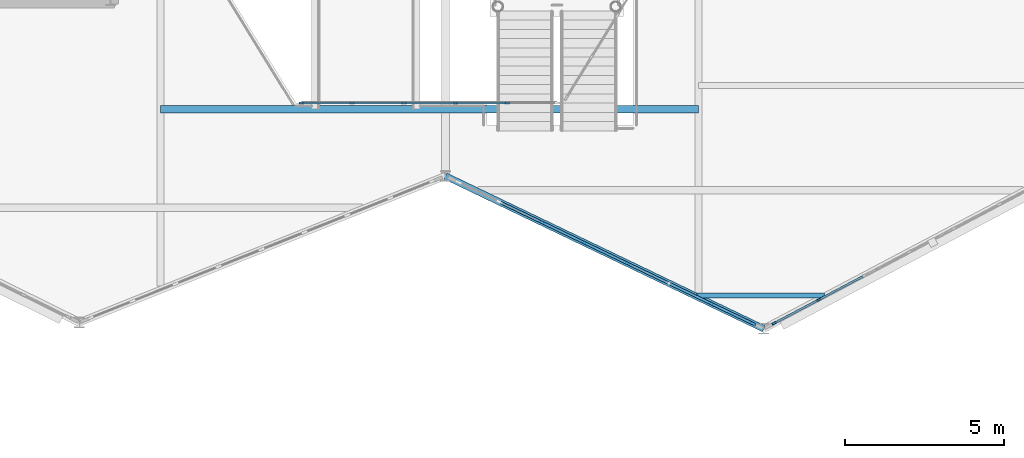
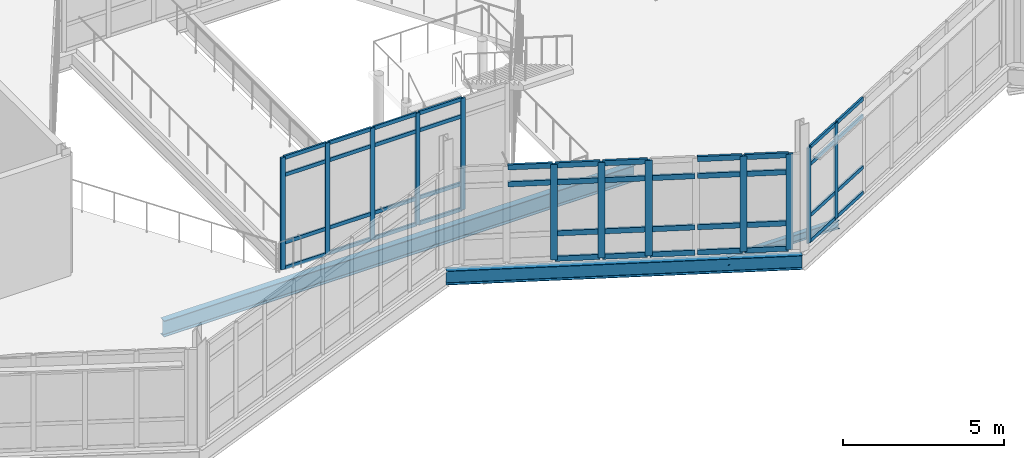
# One storey, part 18 of 76: 57 members, 3 beams, 3 elements without a shape of their own.
"""IFC4 building model written with IfcOpenShell, lengths in metres."""

from ifc_helpers import new_model, si_unit, direction, frame, origin, origin_2d, place, context, subcontext, project, spatial, rectangle, i_section, extrude, material, material_profile, profile_set, type_object, element, aggregate, save


model = new_model("IFC4")

# Units and contexts
model_context = context("Model", 3, precision=1e-05, world=origin(), true_north=direction((0.0, 1.0)))
body_context = subcontext(model_context, "Body", "Model", "MODEL_VIEW")
ifc_project = project(units=[si_unit("LENGTHUNIT", "METRE"), si_unit("AREAUNIT", "SQUARE_METRE"), si_unit("VOLUMEUNIT", "CUBIC_METRE"), si_unit("PLANEANGLEUNIT", "RADIAN"), si_unit("MASSUNIT", "GRAM", prefix="KILO")], contexts=[model_context])

# Site, building, storey
site_placement = place(None, origin())
site = spatial("IfcSite", under=ifc_project, at=site_placement, CompositionType="ELEMENT")
building_placement = place(site_placement, origin())
building = spatial("IfcBuilding", under=site, at=building_placement, Name="Tameran Prism Museum", CompositionType="ELEMENT")
storey_placement = place(building_placement, frame((0.0, 0.0, 15.0)))
storey = spatial("IfcBuildingStorey", under=building, at=storey_placement, Name="L03", CompositionType="ELEMENT", Elevation=15.0)

# Beams
ifc_material_1 = material(Name="Steel Grade 300PLUS (300 MPa)", Category="steel")
ifc_material_profile_1 = material_profile(ifc_material_1, i_section(OverallWidth=0.1650390625, OverallDepth=0.303955078125, WebThickness=0.006103515625, FlangeThickness=0.01025390625, FilletRadius=0.011474609375, at=origin_2d()))
ifc_profile_set_1 = profile_set([ifc_material_profile_1])
beam_type_1 = type_object("IfcBeamType", Name="BM-J310B", PredefinedType="JOIST", material=ifc_profile_set_1)
beam_1_placement = place(storey_placement, frame((85.405029296875, 23.64990234375, -0.35205078125), z_axis=(1.0, 0.0, 0.0), x_axis=(0.0, 1.0, 0.0)))
element("IfcBeam", 1, at=beam_1_placement, inside=storey, type_object=beam_type_1, Name="Floor Beam BM-1086", PredefinedType="JOIST", context=body_context, shape_type="SweptSolid", body=[
    extrude(i_section(OverallWidth=0.1650390625, OverallDepth=0.303955078125, WebThickness=0.006103515625, FlangeThickness=0.01025390625, FilletRadius=0.011474609375, at=origin_2d()), origin(), (0.0, 0.0, 1.0), 3.9970703125),
])
ifc_material_2 = material(Name="Steel Grade 300PLUS (300 MPa)", Category="steel")
ifc_material_profile_2 = material_profile(ifc_material_2, i_section(OverallWidth=0.208984375, OverallDepth=0.532958984375, WebThickness=0.01025390625, FlangeThickness=0.015625, FilletRadius=0.013916015625, at=origin_2d()))
ifc_profile_set_2 = profile_set([ifc_material_profile_2])
beam_type_2 = type_object("IfcBeamType", Name="BM-SP530A", PredefinedType="SPANDREL", material=ifc_profile_set_2)
beam_2_placement = place(storey_placement, frame((77.5, 27.39990234375, -0.466552734375), z_axis=(0.901529926538, -0.432716756732, 0.0), x_axis=(0.432716756732, 0.901529926538, 0.0)))
element("IfcBeam", 2, at=beam_2_placement, inside=storey, type_object=beam_type_2, Name="Perimeter Spandrel SP-0961", PredefinedType="SPANDREL", context=body_context, shape_type="SweptSolid", body=[
    extrude(i_section(OverallWidth=0.208984375, OverallDepth=0.532958984375, WebThickness=0.01025390625, FlangeThickness=0.015625, FilletRadius=0.013916015625, at=origin_2d()), origin(), (0.0, 0.0, 1.0), 11.09228515625),
])
ifc_material_3 = material(Name="Steel Grade 300PLUS (300 MPa)", Category="steel")
ifc_material_profile_3 = material_profile(ifc_material_3, i_section(OverallWidth=0.22900390625, OverallDepth=0.612060546875, WebThickness=0.011962890625, FlangeThickness=0.01953125, FilletRadius=0.013916015625, at=origin_2d()))
ifc_profile_set_3 = profile_set([ifc_material_profile_3])
beam_type_3 = type_object("IfcBeamType", Name="BM-UB610A", PredefinedType="BEAM", material=ifc_profile_set_3)
beam_3_placement = place(storey_placement, frame((68.550048828125, 29.5, -0.5458984375), z_axis=(1.0, 0.0, 0.0), x_axis=(0.0, 1.0, 0.0)))
element("IfcBeam", 3, at=beam_3_placement, inside=storey, type_object=beam_type_3, Name="Atrium Transverse Trimmer ATE-1046", PredefinedType="BEAM", context=body_context, shape_type="SweptSolid", body=[
    extrude(i_section(OverallWidth=0.22900390625, OverallDepth=0.612060546875, WebThickness=0.011962890625, FlangeThickness=0.01953125, FilletRadius=0.013916015625, at=origin_2d()), origin(), (0.0, 0.0, 1.0), 16.89990234375),
])

# Curtain wall, members
ifc_material_4 = material(Name="Anodised Aluminium 6063-T6 and Cyclone Solar Glass", Category="aluminium")
curtain_wall_type_1 = type_object("IfcCurtainWallType", Name="CW-ATR-810x424", PredefinedType="USERDEFINED", material=ifc_material_4)
curtain_wall_1_placement = place(storey_placement, origin())
curtain_wall_1 = element("IfcCurtainWall", 4, at=curtain_wall_1_placement, inside=storey, type_object=curtain_wall_type_1, Name="Unitised Curtain Wall CW-011", ObjectType="UNITISED CURTAIN WALL", PredefinedType="USERDEFINED")
ifc_material_5 = material(Name="Anodised Aluminium Alloy 6063-T6", Category="aluminium")
ifc_material_profile_4 = material_profile(ifc_material_5, rectangle(XDim=0.06494140625, YDim=0.159912109375, at=origin_2d()))
ifc_profile_set_4 = profile_set([ifc_material_profile_4])
member_type_1 = type_object("IfcMemberType", Name="CW-MUL-A", PredefinedType="MULLION", material=ifc_profile_set_4)
member_1_placement = place(storey_placement, frame((72.982421875, 29.699951171875, 0.0), z_axis=(0.0, 0.0, 1.0), x_axis=(0.0, 1.0, 0.0)))
member_1 = element("IfcMember", 5, at=member_1_placement, type_object=member_type_1, Name="CW-011 mullion 1", PredefinedType="MULLION", context=body_context, shape_type="SweptSolid", body=[
    extrude(rectangle(XDim=0.06494140625, YDim=0.159912109375, at=origin_2d()), origin(), (0.0, 0.0, 1.0), 4.239990234375),
])
member_2_placement = place(storey_placement, frame((74.570068359375, 29.699951171875, 0.0), z_axis=(0.0, 0.0, 1.0), x_axis=(0.0, 1.0, 0.0)))
member_2 = element("IfcMember", 6, at=member_2_placement, type_object=member_type_1, Name="CW-011 mullion 2", PredefinedType="MULLION", context=body_context, shape_type="SweptSolid", body=[
    extrude(rectangle(XDim=0.06494140625, YDim=0.159912109375, at=origin_2d()), origin(), (0.0, 0.0, 1.0), 4.239990234375),
])
member_3_placement = place(storey_placement, frame((76.18994140625, 29.699951171875, 0.0), z_axis=(0.0, 0.0, 1.0), x_axis=(0.0, 1.0, 0.0)))
member_3 = element("IfcMember", 7, at=member_3_placement, type_object=member_type_1, Name="CW-011 mullion 3", PredefinedType="MULLION", context=body_context, shape_type="SweptSolid", body=[
    extrude(rectangle(XDim=0.06494140625, YDim=0.159912109375, at=origin_2d()), origin(), (0.0, 0.0, 1.0), 4.239990234375),
])
member_4_placement = place(storey_placement, frame((77.81005859375, 29.699951171875, 0.0), z_axis=(0.0, 0.0, 1.0), x_axis=(0.0, 1.0, 0.0)))
member_4 = element("IfcMember", 8, at=member_4_placement, type_object=member_type_1, Name="CW-011 mullion 4", PredefinedType="MULLION", context=body_context, shape_type="SweptSolid", body=[
    extrude(rectangle(XDim=0.06494140625, YDim=0.159912109375, at=origin_2d()), origin(), (0.0, 0.0, 1.0), 4.239990234375),
])
member_5_placement = place(storey_placement, frame((79.429931640625, 29.699951171875, 0.0), z_axis=(0.0, 0.0, 1.0), x_axis=(0.0, 1.0, 0.0)))
member_5 = element("IfcMember", 9, at=member_5_placement, type_object=member_type_1, Name="CW-011 mullion 5", PredefinedType="MULLION", context=body_context, shape_type="SweptSolid", body=[
    extrude(rectangle(XDim=0.06494140625, YDim=0.159912109375, at=origin_2d()), origin(), (0.0, 0.0, 1.0), 4.239990234375),
])

ifc_material_6 = material(Name="Anodised Aluminium 6063-T6 and Cyclone Solar Glass", Category="aluminium")
curtain_wall_type_2 = type_object("IfcCurtainWallType", Name="CW-FAC-1123x362", PredefinedType="USERDEFINED", material=ifc_material_6)
curtain_wall_2_placement = place(storey_placement, origin())
curtain_wall_2 = element("IfcCurtainWall", 10, at=curtain_wall_2_placement, inside=storey, type_object=curtain_wall_type_2, Name="Unitised Curtain Wall CW-139", ObjectType="UNITISED CURTAIN WALL", PredefinedType="USERDEFINED")
member_6_placement = place(storey_placement, frame((89.2275390625, 23.512451171875, 0.0), z_axis=(0.0, 0.0, 1.0), x_axis=(0.467155185438, -0.884175340483, 0.0)))
member_6 = element("IfcMember", 11, at=member_6_placement, type_object=member_type_1, Name="CW-139 mullion 7", PredefinedType="MULLION", context=body_context, shape_type="SweptSolid", body=[
    extrude(rectangle(XDim=0.06494140625, YDim=0.159912109375, at=origin_2d()), origin(), (0.0, 0.0, 1.0), 3.6201171875),
])
member_7_placement = place(storey_placement, frame((87.837646484375, 22.778076171875, 0.0), z_axis=(0.0, 0.0, 1.0), x_axis=(0.467155185438, -0.884175340483, 0.0)))
member_7 = element("IfcMember", 12, at=member_7_placement, type_object=member_type_1, Name="CW-139 mullion 8", PredefinedType="MULLION", context=body_context, shape_type="SweptSolid", body=[
    extrude(rectangle(XDim=0.06494140625, YDim=0.159912109375, at=origin_2d()), origin(), (0.0, 0.0, 1.0), 3.6201171875),
])

ifc_material_7 = material(Name="Anodised Aluminium 6063-T6 and Cyclone Solar Glass", Category="aluminium")
curtain_wall_type_3 = type_object("IfcCurtainWallType", Name="CW-FAC-1033x362", PredefinedType="USERDEFINED", material=ifc_material_7)
curtain_wall_3_placement = place(storey_placement, origin())
curtain_wall_3 = element("IfcCurtainWall", 13, at=curtain_wall_3_placement, inside=storey, type_object=curtain_wall_type_3, Name="Unitised Curtain Wall CW-138", ObjectType="UNITISED CURTAIN WALL", PredefinedType="USERDEFINED")
ifc_material_8 = material(Name="Anodised Aluminium Alloy 6063-T6", Category="aluminium")
ifc_material_profile_5 = material_profile(ifc_material_8, rectangle(XDim=0.080078125, YDim=0.219970703125, at=origin_2d()))
ifc_profile_set_5 = profile_set([ifc_material_profile_5])
member_type_2 = type_object("IfcMemberType", Name="CW-MUL-D", PredefinedType="MULLION", material=ifc_profile_set_5)
member_8_placement = place(storey_placement, frame((87.14794921875, 22.768310546875, 0.0), z_axis=(0.0, 0.0, 1.0), x_axis=(-0.432831753637, -0.901474721245, 0.0)))
member_8 = element("IfcMember", 14, at=member_8_placement, type_object=member_type_2, Name="CW-138 mullion 1", PredefinedType="MULLION", context=body_context, shape_type="SweptSolid", body=[
    extrude(rectangle(XDim=0.080078125, YDim=0.219970703125, at=origin_2d()), origin(), (0.0, 0.0, 1.0), 3.6201171875),
])
member_9_placement = place(storey_placement, frame((85.853515625, 23.389892578125, 0.0), z_axis=(0.0, 0.0, 1.0), x_axis=(-0.432831753637, -0.901474721245, 0.0)))
member_9 = element("IfcMember", 15, at=member_9_placement, type_object=member_type_2, Name="CW-138 mullion 2", PredefinedType="MULLION", context=body_context, shape_type="SweptSolid", body=[
    extrude(rectangle(XDim=0.080078125, YDim=0.219970703125, at=origin_2d()), origin(), (0.0, 0.0, 1.0), 3.6201171875),
])
member_10_placement = place(storey_placement, frame((83.1923828125, 24.66748046875, 0.0), z_axis=(0.0, 0.0, 1.0), x_axis=(-0.432831753637, -0.901474721245, 0.0)))
member_10 = element("IfcMember", 16, at=member_10_placement, type_object=member_type_2, Name="CW-138 mullion 4", PredefinedType="MULLION", context=body_context, shape_type="SweptSolid", body=[
    extrude(rectangle(XDim=0.080078125, YDim=0.219970703125, at=origin_2d()), origin(), (0.0, 0.0, 1.0), 3.6201171875),
])
member_11_placement = place(storey_placement, frame((81.86181640625, 25.306396484375, 0.0), z_axis=(0.0, 0.0, 1.0), x_axis=(-0.432831753637, -0.901474721245, 0.0)))
member_11 = element("IfcMember", 17, at=member_11_placement, type_object=member_type_2, Name="CW-138 mullion 5", PredefinedType="MULLION", context=body_context, shape_type="SweptSolid", body=[
    extrude(rectangle(XDim=0.080078125, YDim=0.219970703125, at=origin_2d()), origin(), (0.0, 0.0, 1.0), 3.6201171875),
])
member_12_placement = place(storey_placement, frame((80.53125, 25.9453125, 0.0), z_axis=(0.0, 0.0, 1.0), x_axis=(-0.432831753637, -0.901474721245, 0.0)))
member_12 = element("IfcMember", 18, at=member_12_placement, type_object=member_type_2, Name="CW-138 mullion 6", PredefinedType="MULLION", context=body_context, shape_type="SweptSolid", body=[
    extrude(rectangle(XDim=0.080078125, YDim=0.219970703125, at=origin_2d()), origin(), (0.0, 0.0, 1.0), 3.6201171875),
])

# Member
ifc_material_9 = material(Name="Anodised Aluminium Alloy 6063-T6", Category="aluminium")
ifc_material_profile_6 = material_profile(ifc_material_9, rectangle(XDim=0.06494140625, YDim=0.139892578125, at=origin_2d()))
ifc_profile_set_6 = profile_set([ifc_material_profile_6])
member_type_3 = type_object("IfcMemberType", Name="CW-TRN-A", PredefinedType="USERDEFINED", material=ifc_profile_set_6)
member_13_placement = place(storey_placement, frame((73.014892578125, 29.699951171875, 0.032470703125), z_axis=(1.0, 0.0, 0.0), x_axis=(0.0, 1.0, 0.0)))
member_13 = element("IfcMember", 19, at=member_13_placement, type_object=member_type_3, Name="CW-011 transom 1.1", ObjectType="TRANSOM", PredefinedType="USERDEFINED", context=body_context, shape_type="SweptSolid", body=[
    extrude(rectangle(XDim=0.06494140625, YDim=0.139892578125, at=origin_2d()), origin(), (0.0, 0.0, 1.0), 1.522705078125),
])

member_14_placement = place(storey_placement, frame((73.014892578125, 29.699951171875, 1.0), z_axis=(1.0, 0.0, 0.0), x_axis=(0.0, 1.0, 0.0)))
member_14 = element("IfcMember", 20, at=member_14_placement, type_object=member_type_3, Name="CW-011 transom 1.2", ObjectType="TRANSOM", PredefinedType="USERDEFINED", context=body_context, shape_type="SweptSolid", body=[
    extrude(rectangle(XDim=0.06494140625, YDim=0.139892578125, at=origin_2d()), origin(), (0.0, 0.0, 1.0), 1.522705078125),
])

member_15_placement = place(storey_placement, frame((73.014892578125, 29.699951171875, 3.56005859375), z_axis=(1.0, 0.0, 0.0), x_axis=(0.0, 1.0, 0.0)))
member_15 = element("IfcMember", 21, at=member_15_placement, type_object=member_type_3, Name="CW-011 transom 1.3", ObjectType="TRANSOM", PredefinedType="USERDEFINED", context=body_context, shape_type="SweptSolid", body=[
    extrude(rectangle(XDim=0.06494140625, YDim=0.139892578125, at=origin_2d()), origin(), (0.0, 0.0, 1.0), 1.522705078125),
])

member_16_placement = place(storey_placement, frame((73.014892578125, 29.699951171875, 4.20751953125), z_axis=(1.0, 0.0, 0.0), x_axis=(0.0, 1.0, 0.0)))
member_16 = element("IfcMember", 22, at=member_16_placement, type_object=member_type_3, Name="CW-011 transom 1.4", ObjectType="TRANSOM", PredefinedType="USERDEFINED", context=body_context, shape_type="SweptSolid", body=[
    extrude(rectangle(XDim=0.06494140625, YDim=0.139892578125, at=origin_2d()), origin(), (0.0, 0.0, 1.0), 1.522705078125),
])

member_17_placement = place(storey_placement, frame((74.6025390625, 29.699951171875, 0.032470703125), z_axis=(1.0, 0.0, 0.0), x_axis=(0.0, 1.0, 0.0)))
member_17 = element("IfcMember", 23, at=member_17_placement, type_object=member_type_3, Name="CW-011 transom 2.1", ObjectType="TRANSOM", PredefinedType="USERDEFINED", context=body_context, shape_type="SweptSolid", body=[
    extrude(rectangle(XDim=0.06494140625, YDim=0.139892578125, at=origin_2d()), origin(), (0.0, 0.0, 1.0), 1.554931640625),
])

member_18_placement = place(storey_placement, frame((74.6025390625, 29.699951171875, 1.0), z_axis=(1.0, 0.0, 0.0), x_axis=(0.0, 1.0, 0.0)))
member_18 = element("IfcMember", 24, at=member_18_placement, type_object=member_type_3, Name="CW-011 transom 2.2", ObjectType="TRANSOM", PredefinedType="USERDEFINED", context=body_context, shape_type="SweptSolid", body=[
    extrude(rectangle(XDim=0.06494140625, YDim=0.139892578125, at=origin_2d()), origin(), (0.0, 0.0, 1.0), 1.554931640625),
])

member_19_placement = place(storey_placement, frame((74.6025390625, 29.699951171875, 3.56005859375), z_axis=(1.0, 0.0, 0.0), x_axis=(0.0, 1.0, 0.0)))
member_19 = element("IfcMember", 25, at=member_19_placement, type_object=member_type_3, Name="CW-011 transom 2.3", ObjectType="TRANSOM", PredefinedType="USERDEFINED", context=body_context, shape_type="SweptSolid", body=[
    extrude(rectangle(XDim=0.06494140625, YDim=0.139892578125, at=origin_2d()), origin(), (0.0, 0.0, 1.0), 1.554931640625),
])

member_20_placement = place(storey_placement, frame((74.6025390625, 29.699951171875, 4.20751953125), z_axis=(1.0, 0.0, 0.0), x_axis=(0.0, 1.0, 0.0)))
member_20 = element("IfcMember", 26, at=member_20_placement, type_object=member_type_3, Name="CW-011 transom 2.4", ObjectType="TRANSOM", PredefinedType="USERDEFINED", context=body_context, shape_type="SweptSolid", body=[
    extrude(rectangle(XDim=0.06494140625, YDim=0.139892578125, at=origin_2d()), origin(), (0.0, 0.0, 1.0), 1.554931640625),
])

member_21_placement = place(storey_placement, frame((76.222412109375, 29.699951171875, 0.032470703125), z_axis=(1.0, 0.0, 0.0), x_axis=(0.0, 1.0, 0.0)))
member_21 = element("IfcMember", 27, at=member_21_placement, type_object=member_type_3, Name="CW-011 transom 3.1", ObjectType="TRANSOM", PredefinedType="USERDEFINED", context=body_context, shape_type="SweptSolid", body=[
    extrude(rectangle(XDim=0.06494140625, YDim=0.139892578125, at=origin_2d()), origin(), (0.0, 0.0, 1.0), 1.55517578125),
])

member_22_placement = place(storey_placement, frame((76.222412109375, 29.699951171875, 1.0), z_axis=(1.0, 0.0, 0.0), x_axis=(0.0, 1.0, 0.0)))
member_22 = element("IfcMember", 28, at=member_22_placement, type_object=member_type_3, Name="CW-011 transom 3.2", ObjectType="TRANSOM", PredefinedType="USERDEFINED", context=body_context, shape_type="SweptSolid", body=[
    extrude(rectangle(XDim=0.06494140625, YDim=0.139892578125, at=origin_2d()), origin(), (0.0, 0.0, 1.0), 1.55517578125),
])

member_23_placement = place(storey_placement, frame((76.222412109375, 29.699951171875, 3.56005859375), z_axis=(1.0, 0.0, 0.0), x_axis=(0.0, 1.0, 0.0)))
member_23 = element("IfcMember", 29, at=member_23_placement, type_object=member_type_3, Name="CW-011 transom 3.3", ObjectType="TRANSOM", PredefinedType="USERDEFINED", context=body_context, shape_type="SweptSolid", body=[
    extrude(rectangle(XDim=0.06494140625, YDim=0.139892578125, at=origin_2d()), origin(), (0.0, 0.0, 1.0), 1.55517578125),
])

member_24_placement = place(storey_placement, frame((76.222412109375, 29.699951171875, 4.20751953125), z_axis=(1.0, 0.0, 0.0), x_axis=(0.0, 1.0, 0.0)))
member_24 = element("IfcMember", 30, at=member_24_placement, type_object=member_type_3, Name="CW-011 transom 3.4", ObjectType="TRANSOM", PredefinedType="USERDEFINED", context=body_context, shape_type="SweptSolid", body=[
    extrude(rectangle(XDim=0.06494140625, YDim=0.139892578125, at=origin_2d()), origin(), (0.0, 0.0, 1.0), 1.55517578125),
])

member_25_placement = place(storey_placement, frame((77.842529296875, 29.699951171875, 0.032470703125), z_axis=(1.0, 0.0, 0.0), x_axis=(0.0, 1.0, 0.0)))
member_25 = element("IfcMember", 31, at=member_25_placement, type_object=member_type_3, Name="CW-011 transom 4.1", ObjectType="TRANSOM", PredefinedType="USERDEFINED", context=body_context, shape_type="SweptSolid", body=[
    extrude(rectangle(XDim=0.06494140625, YDim=0.139892578125, at=origin_2d()), origin(), (0.0, 0.0, 1.0), 1.554931640625),
])

member_26_placement = place(storey_placement, frame((77.842529296875, 29.699951171875, 1.0), z_axis=(1.0, 0.0, 0.0), x_axis=(0.0, 1.0, 0.0)))
member_26 = element("IfcMember", 32, at=member_26_placement, type_object=member_type_3, Name="CW-011 transom 4.2", ObjectType="TRANSOM", PredefinedType="USERDEFINED", context=body_context, shape_type="SweptSolid", body=[
    extrude(rectangle(XDim=0.06494140625, YDim=0.139892578125, at=origin_2d()), origin(), (0.0, 0.0, 1.0), 1.554931640625),
])

member_27_placement = place(storey_placement, frame((77.842529296875, 29.699951171875, 3.56005859375), z_axis=(1.0, 0.0, 0.0), x_axis=(0.0, 1.0, 0.0)))
member_27 = element("IfcMember", 33, at=member_27_placement, type_object=member_type_3, Name="CW-011 transom 4.3", ObjectType="TRANSOM", PredefinedType="USERDEFINED", context=body_context, shape_type="SweptSolid", body=[
    extrude(rectangle(XDim=0.06494140625, YDim=0.139892578125, at=origin_2d()), origin(), (0.0, 0.0, 1.0), 1.554931640625),
])

member_28_placement = place(storey_placement, frame((77.842529296875, 29.699951171875, 4.20751953125), z_axis=(1.0, 0.0, 0.0), x_axis=(0.0, 1.0, 0.0)))
member_28 = element("IfcMember", 34, at=member_28_placement, type_object=member_type_3, Name="CW-011 transom 4.4", ObjectType="TRANSOM", PredefinedType="USERDEFINED", context=body_context, shape_type="SweptSolid", body=[
    extrude(rectangle(XDim=0.06494140625, YDim=0.139892578125, at=origin_2d()), origin(), (0.0, 0.0, 1.0), 1.554931640625),
])

aggregate(curtain_wall_1, [member_1, member_2, member_3, member_4, member_5, member_13, member_14, member_15, member_16, member_17, member_18, member_19, member_20, member_21, member_22, member_23, member_24, member_25, member_26, member_27, member_28])

member_29_placement = place(storey_placement, frame((90.6171875, 24.24658203125, 0.032470703125), z_axis=(-0.884211923114, -0.467085939654, 0.0), x_axis=(0.467085939654, -0.884211923114, 0.0)))
member_29 = element("IfcMember", 35, at=member_29_placement, type_object=member_type_3, Name="CW-139 transom 6.1", ObjectType="TRANSOM", PredefinedType="USERDEFINED", context=body_context, shape_type="SweptSolid", body=[
    extrude(rectangle(XDim=0.06494140625, YDim=0.139892578125, at=origin_2d()), origin(), (0.0, 0.0, 1.0), 1.539306640625),
])

member_30_placement = place(storey_placement, frame((90.6171875, 24.24658203125, 1.0), z_axis=(-0.884211923114, -0.467085939654, 0.0), x_axis=(0.467085939654, -0.884211923114, 0.0)))
member_30 = element("IfcMember", 36, at=member_30_placement, type_object=member_type_3, Name="CW-139 transom 6.2", ObjectType="TRANSOM", PredefinedType="USERDEFINED", context=body_context, shape_type="SweptSolid", body=[
    extrude(rectangle(XDim=0.06494140625, YDim=0.139892578125, at=origin_2d()), origin(), (0.0, 0.0, 1.0), 1.539306640625),
])

member_31_placement = place(storey_placement, frame((90.6171875, 24.24658203125, 2.93994140625), z_axis=(-0.884211923114, -0.467085939654, 0.0), x_axis=(0.467085939654, -0.884211923114, 0.0)))
member_31 = element("IfcMember", 37, at=member_31_placement, type_object=member_type_3, Name="CW-139 transom 6.3", ObjectType="TRANSOM", PredefinedType="USERDEFINED", context=body_context, shape_type="SweptSolid", body=[
    extrude(rectangle(XDim=0.06494140625, YDim=0.139892578125, at=origin_2d()), origin(), (0.0, 0.0, 1.0), 1.539306640625),
])

member_32_placement = place(storey_placement, frame((90.6171875, 24.24658203125, 3.58740234375), z_axis=(-0.884211923114, -0.467085939654, 0.0), x_axis=(0.467085939654, -0.884211923114, 0.0)))
member_32 = element("IfcMember", 38, at=member_32_placement, type_object=member_type_3, Name="CW-139 transom 6.4", ObjectType="TRANSOM", PredefinedType="USERDEFINED", context=body_context, shape_type="SweptSolid", body=[
    extrude(rectangle(XDim=0.06494140625, YDim=0.139892578125, at=origin_2d()), origin(), (0.0, 0.0, 1.0), 1.539306640625),
])

member_33_placement = place(storey_placement, frame((89.19873046875, 23.497314453125, 0.032470703125), z_axis=(-0.884189596014, -0.467128203282, 0.0), x_axis=(0.467128203282, -0.884189596014, 0.0)))
member_33 = element("IfcMember", 39, at=member_33_placement, type_object=member_type_3, Name="CW-139 transom 7.1", ObjectType="TRANSOM", PredefinedType="USERDEFINED", context=body_context, shape_type="SweptSolid", body=[
    extrude(rectangle(XDim=0.06494140625, YDim=0.139892578125, at=origin_2d()), origin(), (0.0, 0.0, 1.0), 1.5068359375),
])

member_34_placement = place(storey_placement, frame((89.19873046875, 23.497314453125, 1.0), z_axis=(-0.884189596014, -0.467128203282, 0.0), x_axis=(0.467128203282, -0.884189596014, 0.0)))
member_34 = element("IfcMember", 40, at=member_34_placement, type_object=member_type_3, Name="CW-139 transom 7.2", ObjectType="TRANSOM", PredefinedType="USERDEFINED", context=body_context, shape_type="SweptSolid", body=[
    extrude(rectangle(XDim=0.06494140625, YDim=0.139892578125, at=origin_2d()), origin(), (0.0, 0.0, 1.0), 1.5068359375),
])

member_35_placement = place(storey_placement, frame((89.19873046875, 23.497314453125, 2.93994140625), z_axis=(-0.884189596014, -0.467128203282, 0.0), x_axis=(0.467128203282, -0.884189596014, 0.0)))
member_35 = element("IfcMember", 41, at=member_35_placement, type_object=member_type_3, Name="CW-139 transom 7.3", ObjectType="TRANSOM", PredefinedType="USERDEFINED", context=body_context, shape_type="SweptSolid", body=[
    extrude(rectangle(XDim=0.06494140625, YDim=0.139892578125, at=origin_2d()), origin(), (0.0, 0.0, 1.0), 1.5068359375),
])

member_36_placement = place(storey_placement, frame((89.19873046875, 23.497314453125, 3.58740234375), z_axis=(-0.884189596014, -0.467128203282, 0.0), x_axis=(0.467128203282, -0.884189596014, 0.0)))
member_36 = element("IfcMember", 42, at=member_36_placement, type_object=member_type_3, Name="CW-139 transom 7.4", ObjectType="TRANSOM", PredefinedType="USERDEFINED", context=body_context, shape_type="SweptSolid", body=[
    extrude(rectangle(XDim=0.06494140625, YDim=0.139892578125, at=origin_2d()), origin(), (0.0, 0.0, 1.0), 1.5068359375),
])

aggregate(curtain_wall_2, [member_6, member_7, member_29, member_30, member_31, member_32, member_33, member_34, member_35, member_36])

ifc_material_10 = material(Name="Anodised Aluminium Alloy 6063-T6", Category="aluminium")
ifc_material_profile_7 = material_profile(ifc_material_10, rectangle(XDim=0.080078125, YDim=0.195068359375, at=origin_2d()))
ifc_profile_set_7 = profile_set([ifc_material_profile_7])
member_type_4 = type_object("IfcMemberType", Name="CW-TRN-D", PredefinedType="USERDEFINED", material=ifc_profile_set_7)
member_37_placement = place(storey_placement, frame((87.11181640625, 22.78564453125, 0.0400390625), z_axis=(-0.901478100246, 0.432824715996, 0.0), x_axis=(-0.432824715996, -0.901478100246, 0.0)))
member_37 = element("IfcMember", 43, at=member_37_placement, type_object=member_type_4, Name="CW-138 transom 1.1", ObjectType="TRANSOM", PredefinedType="USERDEFINED", context=body_context, shape_type="SweptSolid", body=[
    extrude(rectangle(XDim=0.080078125, YDim=0.195068359375, at=origin_2d()), origin(), (0.0, 0.0, 1.0), 1.35595703125),
])

member_38_placement = place(storey_placement, frame((87.11181640625, 22.78564453125, 1.0), z_axis=(-0.901478100246, 0.432824715996, 0.0), x_axis=(-0.432824715996, -0.901478100246, 0.0)))
member_38 = element("IfcMember", 44, at=member_38_placement, type_object=member_type_4, Name="CW-138 transom 1.2", ObjectType="TRANSOM", PredefinedType="USERDEFINED", context=body_context, shape_type="SweptSolid", body=[
    extrude(rectangle(XDim=0.080078125, YDim=0.195068359375, at=origin_2d()), origin(), (0.0, 0.0, 1.0), 1.35595703125),
])

member_39_placement = place(storey_placement, frame((87.11181640625, 22.78564453125, 2.93994140625), z_axis=(-0.901478100246, 0.432824715996, 0.0), x_axis=(-0.432824715996, -0.901478100246, 0.0)))
member_39 = element("IfcMember", 45, at=member_39_placement, type_object=member_type_4, Name="CW-138 transom 1.3", ObjectType="TRANSOM", PredefinedType="USERDEFINED", context=body_context, shape_type="SweptSolid", body=[
    extrude(rectangle(XDim=0.080078125, YDim=0.195068359375, at=origin_2d()), origin(), (0.0, 0.0, 1.0), 1.35595703125),
])

member_40_placement = place(storey_placement, frame((87.11181640625, 22.78564453125, 3.580078125), z_axis=(-0.901478100246, 0.432824715996, 0.0), x_axis=(-0.432824715996, -0.901478100246, 0.0)))
member_40 = element("IfcMember", 46, at=member_40_placement, type_object=member_type_4, Name="CW-138 transom 1.4", ObjectType="TRANSOM", PredefinedType="USERDEFINED", context=body_context, shape_type="SweptSolid", body=[
    extrude(rectangle(XDim=0.080078125, YDim=0.195068359375, at=origin_2d()), origin(), (0.0, 0.0, 1.0), 1.35595703125),
])

member_41_placement = place(storey_placement, frame((85.8173828125, 23.4072265625, 0.0400390625), z_axis=(-0.901482120337, 0.432816342936, 0.0), x_axis=(-0.432816342936, -0.901482120337, 0.0)))
member_41 = element("IfcMember", 47, at=member_41_placement, type_object=member_type_4, Name="CW-138 transom 2.1", ObjectType="TRANSOM", PredefinedType="USERDEFINED", context=body_context, shape_type="SweptSolid", body=[
    extrude(rectangle(XDim=0.080078125, YDim=0.195068359375, at=origin_2d()), origin(), (0.0, 0.0, 1.0), 1.39599609375),
])

member_42_placement = place(storey_placement, frame((85.8173828125, 23.4072265625, 1.0), z_axis=(-0.901482120337, 0.432816342936, 0.0), x_axis=(-0.432816342936, -0.901482120337, 0.0)))
member_42 = element("IfcMember", 48, at=member_42_placement, type_object=member_type_4, Name="CW-138 transom 2.2", ObjectType="TRANSOM", PredefinedType="USERDEFINED", context=body_context, shape_type="SweptSolid", body=[
    extrude(rectangle(XDim=0.080078125, YDim=0.195068359375, at=origin_2d()), origin(), (0.0, 0.0, 1.0), 1.39599609375),
])

member_43_placement = place(storey_placement, frame((85.8173828125, 23.4072265625, 2.93994140625), z_axis=(-0.901482120337, 0.432816342936, 0.0), x_axis=(-0.432816342936, -0.901482120337, 0.0)))
member_43 = element("IfcMember", 49, at=member_43_placement, type_object=member_type_4, Name="CW-138 transom 2.3", ObjectType="TRANSOM", PredefinedType="USERDEFINED", context=body_context, shape_type="SweptSolid", body=[
    extrude(rectangle(XDim=0.080078125, YDim=0.195068359375, at=origin_2d()), origin(), (0.0, 0.0, 1.0), 1.39599609375),
])

member_44_placement = place(storey_placement, frame((85.8173828125, 23.4072265625, 3.580078125), z_axis=(-0.901482120337, 0.432816342936, 0.0), x_axis=(-0.432816342936, -0.901482120337, 0.0)))
member_44 = element("IfcMember", 50, at=member_44_placement, type_object=member_type_4, Name="CW-138 transom 2.4", ObjectType="TRANSOM", PredefinedType="USERDEFINED", context=body_context, shape_type="SweptSolid", body=[
    extrude(rectangle(XDim=0.080078125, YDim=0.195068359375, at=origin_2d()), origin(), (0.0, 0.0, 1.0), 1.39599609375),
])

member_45_placement = place(storey_placement, frame((84.48681640625, 24.046142578125, 0.0400390625), z_axis=(-0.901550346473, 0.432674210897, 0.0), x_axis=(-0.432674210897, -0.901550346473, 0.0)))
member_45 = element("IfcMember", 51, at=member_45_placement, type_object=member_type_4, Name="CW-138 transom 3.1", ObjectType="TRANSOM", PredefinedType="USERDEFINED", context=body_context, shape_type="SweptSolid", body=[
    extrude(rectangle(XDim=0.080078125, YDim=0.195068359375, at=origin_2d()), origin(), (0.0, 0.0, 1.0), 1.39599609375),
])

member_46_placement = place(storey_placement, frame((84.48681640625, 24.046142578125, 1.0), z_axis=(-0.901550346473, 0.432674210897, 0.0), x_axis=(-0.432674210897, -0.901550346473, 0.0)))
member_46 = element("IfcMember", 52, at=member_46_placement, type_object=member_type_4, Name="CW-138 transom 3.2", ObjectType="TRANSOM", PredefinedType="USERDEFINED", context=body_context, shape_type="SweptSolid", body=[
    extrude(rectangle(XDim=0.080078125, YDim=0.195068359375, at=origin_2d()), origin(), (0.0, 0.0, 1.0), 1.39599609375),
])

member_47_placement = place(storey_placement, frame((84.48681640625, 24.046142578125, 2.93994140625), z_axis=(-0.901550346473, 0.432674210897, 0.0), x_axis=(-0.432674210897, -0.901550346473, 0.0)))
member_47 = element("IfcMember", 53, at=member_47_placement, type_object=member_type_4, Name="CW-138 transom 3.3", ObjectType="TRANSOM", PredefinedType="USERDEFINED", context=body_context, shape_type="SweptSolid", body=[
    extrude(rectangle(XDim=0.080078125, YDim=0.195068359375, at=origin_2d()), origin(), (0.0, 0.0, 1.0), 1.39599609375),
])

member_48_placement = place(storey_placement, frame((83.15625, 24.684814453125, 0.0400390625), z_axis=(-0.901482120337, 0.432816342936, 0.0), x_axis=(-0.432816342936, -0.901482120337, 0.0)))
member_48 = element("IfcMember", 54, at=member_48_placement, type_object=member_type_4, Name="CW-138 transom 4.1", ObjectType="TRANSOM", PredefinedType="USERDEFINED", context=body_context, shape_type="SweptSolid", body=[
    extrude(rectangle(XDim=0.080078125, YDim=0.195068359375, at=origin_2d()), origin(), (0.0, 0.0, 1.0), 1.39599609375),
])

member_49_placement = place(storey_placement, frame((83.15625, 24.684814453125, 1.0), z_axis=(-0.901482120337, 0.432816342936, 0.0), x_axis=(-0.432816342936, -0.901482120337, 0.0)))
member_49 = element("IfcMember", 55, at=member_49_placement, type_object=member_type_4, Name="CW-138 transom 4.2", ObjectType="TRANSOM", PredefinedType="USERDEFINED", context=body_context, shape_type="SweptSolid", body=[
    extrude(rectangle(XDim=0.080078125, YDim=0.195068359375, at=origin_2d()), origin(), (0.0, 0.0, 1.0), 1.39599609375),
])

member_50_placement = place(storey_placement, frame((83.15625, 24.684814453125, 2.93994140625), z_axis=(-0.901482120337, 0.432816342936, 0.0), x_axis=(-0.432816342936, -0.901482120337, 0.0)))
member_50 = element("IfcMember", 56, at=member_50_placement, type_object=member_type_4, Name="CW-138 transom 4.3", ObjectType="TRANSOM", PredefinedType="USERDEFINED", context=body_context, shape_type="SweptSolid", body=[
    extrude(rectangle(XDim=0.080078125, YDim=0.195068359375, at=origin_2d()), origin(), (0.0, 0.0, 1.0), 1.39599609375),
])

member_51_placement = place(storey_placement, frame((83.15625, 24.684814453125, 3.580078125), z_axis=(-0.901482120337, 0.432816342936, 0.0), x_axis=(-0.432816342936, -0.901482120337, 0.0)))
member_51 = element("IfcMember", 57, at=member_51_placement, type_object=member_type_4, Name="CW-138 transom 4.4", ObjectType="TRANSOM", PredefinedType="USERDEFINED", context=body_context, shape_type="SweptSolid", body=[
    extrude(rectangle(XDim=0.080078125, YDim=0.195068359375, at=origin_2d()), origin(), (0.0, 0.0, 1.0), 1.39599609375),
])

member_52_placement = place(storey_placement, frame((81.82568359375, 25.32373046875, 0.0400390625), z_axis=(-0.901482120337, 0.432816342936, 0.0), x_axis=(-0.432816342936, -0.901482120337, 0.0)))
member_52 = element("IfcMember", 58, at=member_52_placement, type_object=member_type_4, Name="CW-138 transom 5.1", ObjectType="TRANSOM", PredefinedType="USERDEFINED", context=body_context, shape_type="SweptSolid", body=[
    extrude(rectangle(XDim=0.080078125, YDim=0.195068359375, at=origin_2d()), origin(), (0.0, 0.0, 1.0), 1.39599609375),
])

member_53_placement = place(storey_placement, frame((81.82568359375, 25.32373046875, 1.0), z_axis=(-0.901482120337, 0.432816342936, 0.0), x_axis=(-0.432816342936, -0.901482120337, 0.0)))
member_53 = element("IfcMember", 59, at=member_53_placement, type_object=member_type_4, Name="CW-138 transom 5.2", ObjectType="TRANSOM", PredefinedType="USERDEFINED", context=body_context, shape_type="SweptSolid", body=[
    extrude(rectangle(XDim=0.080078125, YDim=0.195068359375, at=origin_2d()), origin(), (0.0, 0.0, 1.0), 1.39599609375),
])

member_54_placement = place(storey_placement, frame((81.82568359375, 25.32373046875, 2.93994140625), z_axis=(-0.901482120337, 0.432816342936, 0.0), x_axis=(-0.432816342936, -0.901482120337, 0.0)))
member_54 = element("IfcMember", 60, at=member_54_placement, type_object=member_type_4, Name="CW-138 transom 5.3", ObjectType="TRANSOM", PredefinedType="USERDEFINED", context=body_context, shape_type="SweptSolid", body=[
    extrude(rectangle(XDim=0.080078125, YDim=0.195068359375, at=origin_2d()), origin(), (0.0, 0.0, 1.0), 1.39599609375),
])

member_55_placement = place(storey_placement, frame((81.82568359375, 25.32373046875, 3.580078125), z_axis=(-0.901482120337, 0.432816342936, 0.0), x_axis=(-0.432816342936, -0.901482120337, 0.0)))
member_55 = element("IfcMember", 61, at=member_55_placement, type_object=member_type_4, Name="CW-138 transom 5.4", ObjectType="TRANSOM", PredefinedType="USERDEFINED", context=body_context, shape_type="SweptSolid", body=[
    extrude(rectangle(XDim=0.080078125, YDim=0.195068359375, at=origin_2d()), origin(), (0.0, 0.0, 1.0), 1.39599609375),
])

member_56_placement = place(storey_placement, frame((80.4951171875, 25.962646484375, 2.93994140625), z_axis=(-0.901482120337, 0.432816342936, 0.0), x_axis=(-0.432816342936, -0.901482120337, 0.0)))
member_56 = element("IfcMember", 62, at=member_56_placement, type_object=member_type_4, Name="CW-138 transom 6.3", ObjectType="TRANSOM", PredefinedType="USERDEFINED", context=body_context, shape_type="SweptSolid", body=[
    extrude(rectangle(XDim=0.080078125, YDim=0.195068359375, at=origin_2d()), origin(), (0.0, 0.0, 1.0), 1.39599609375),
])

member_57_placement = place(storey_placement, frame((80.4951171875, 25.962646484375, 3.580078125), z_axis=(-0.901482120337, 0.432816342936, 0.0), x_axis=(-0.432816342936, -0.901482120337, 0.0)))
member_57 = element("IfcMember", 63, at=member_57_placement, type_object=member_type_4, Name="CW-138 transom 6.4", ObjectType="TRANSOM", PredefinedType="USERDEFINED", context=body_context, shape_type="SweptSolid", body=[
    extrude(rectangle(XDim=0.080078125, YDim=0.195068359375, at=origin_2d()), origin(), (0.0, 0.0, 1.0), 1.39599609375),
])

aggregate(curtain_wall_3, [member_8, member_9, member_10, member_11, member_12, member_37, member_38, member_39, member_40, member_41, member_42, member_43, member_44, member_45, member_46, member_47, member_48, member_49, member_50, member_51, member_52, member_53, member_54, member_55, member_56, member_57])

save(model, "model.ifc")
